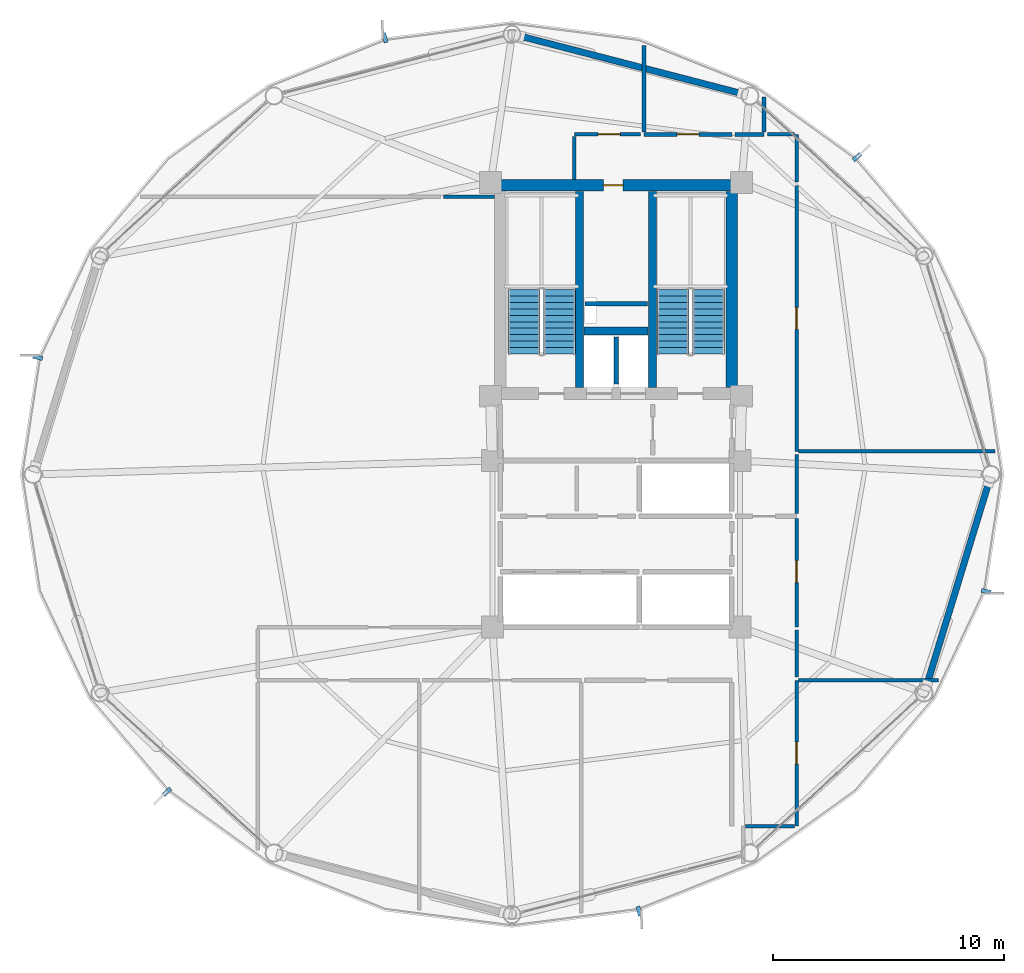
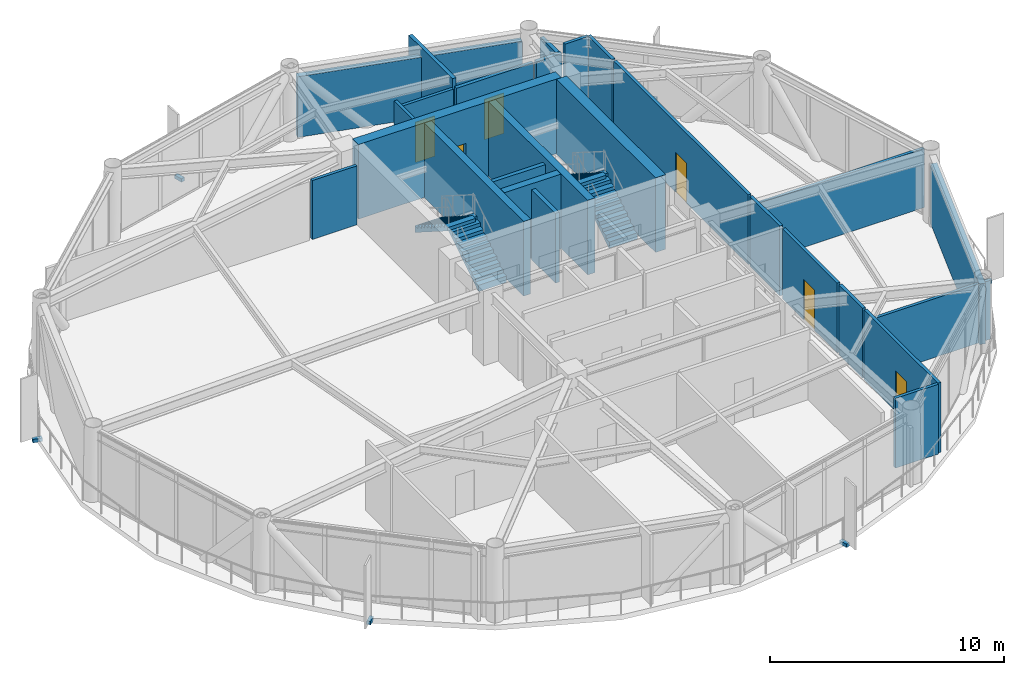
# One storey, part 23 of 26: 26 walls, 6 discrete accessories, 6 doors, 4 stair flights, 6 openings, 2 elements without a shape of their own.
"""IFC4 building model written with IfcOpenShell, lengths in metres."""

from ifc_helpers import new_model, si_unit, direction, frame, frame_2d, origin, origin_2d, place, context, subcontext, project, spatial, polyline, rectangle, outline, extrude, source, transform, mapped, material, layer, layer_set, type_object, type_shapes, element, fill, aggregate, save


model = new_model("IFC4")

# Units and contexts
model_context = context("Model", 3, precision=1e-05, world=origin(), true_north=direction((0.0, 1.0)))
body_context = subcontext(model_context, "Body", "Model", "MODEL_VIEW")
ifc_project = project(units=[si_unit("LENGTHUNIT", "METRE"), si_unit("AREAUNIT", "SQUARE_METRE"), si_unit("VOLUMEUNIT", "CUBIC_METRE"), si_unit("PLANEANGLEUNIT", "RADIAN"), si_unit("MASSUNIT", "GRAM", prefix="KILO")], contexts=[model_context])

# Site, building, storey
site_placement = place(None, origin())
site = spatial("IfcSite", under=ifc_project, at=site_placement, CompositionType="ELEMENT")
building_placement = place(site_placement, origin())
building = spatial("IfcBuilding", under=site, at=building_placement, Name="Varnakorn Sky Granary", CompositionType="ELEMENT")
storey_placement = place(building_placement, frame((0.0, 0.0, 153.89990234375)))
storey = spatial("IfcBuildingStorey", under=building, at=storey_placement, Name="L38", CompositionType="ELEMENT", Elevation=153.89990234375)

# Walls
ifc_material_1 = material(Name="Concrete C50/60", Category="concrete")
ifc_layer_1 = layer(ifc_material_1, 0.35009765625, Name="Concrete C50/60")
ifc_layer_set_1 = layer_set([ifc_layer_1], Name="Concrete C50/60")
wall_type_1 = type_object("IfcWallType", Name="WT-CW-INT-350", PredefinedType="SHEAR", material=ifc_layer_set_1)
for number, where, z_axis, x_axis, name in (
    (1, (1.419921875, 3.760009765625, 0.0), (0.0, 0.0, 1.0), (0.0, 1.0, 0.0), "Stair ST-1 Core Wall L38"),
    (2, (4.580078125, 3.760009765625, 0.0), (0.0, 0.0, 1.0), (0.0, 1.0, 0.0), "Stair ST-2 Core Wall L38"),
):
    element("IfcWall", number, at=place(storey_placement, frame(where, z_axis=z_axis, x_axis=x_axis)), inside=storey, type_object=wall_type_1, Name=name, PredefinedType="SHEAR", context=body_context, shape_type="SweptSolid", body=[
        extrude(rectangle(XDim=8.47998046875, YDim=0.35009765625, at=frame_2d((4.239990234375, 0.0))), origin(), (0.0, 0.0, 1.0), 3.89208984375),
    ])
wall_1_placement = place(storey_placement, frame((1.610107421875, 6.199951171875, 0.0), z_axis=(0.0, 0.0, 1.0), x_axis=(1.0, 0.0, 0.0)))
element("IfcWall", 3, at=wall_1_placement, inside=storey, type_object=wall_type_1, Name="Core Lift Shaft Cross Wall L38", PredefinedType="SHEAR", context=body_context, shape_type="SweptSolid", body=[
    extrude(rectangle(XDim=2.77978515625, YDim=0.35009765625, at=frame_2d((1.389892578125, 0.0))), origin(), (0.0, 0.0, 1.0), 3.89208984375),
])

# Wall, opening, door
ifc_material_2 = material(Name="Concrete C60/75", Category="concrete")
ifc_layer_2 = layer(ifc_material_2, 0.5, Name="Concrete C60/75")
ifc_layer_set_2 = layer_set([ifc_layer_2], Name="Concrete C60/75")
wall_type_2 = type_object("IfcWallType", Name="WT-CW-SHEAR-500", PredefinedType="SHEAR", material=ifc_layer_set_2)
wall_2_placement = place(storey_placement, frame((-2.0, 12.5, 0.0), z_axis=(0.0, 0.0, 1.0), x_axis=(1.0, 0.0, 0.0)))
wall_2 = element("IfcWall", 4, at=wall_2_placement, inside=storey, type_object=wall_type_2, Name="Core North Shear Wall L38", PredefinedType="SHEAR", context=body_context, shape_type="SweptSolid", body=[
    extrude(rectangle(XDim=10.0, YDim=0.5, at=frame_2d((5.0, 0.0))), origin(), (0.0, 0.0, 1.0), 3.89208984375),
])
opening_1_placement = place(wall_2_placement, frame((4.449951171875, 0.0, 0.0)))
opening_1 = element("IfcOpeningElement", 5, at=opening_1_placement, cuts=wall_2, Name="Opening FD-60N", PredefinedType="OPENING", context=body_context, shape_type="SweptSolid", body=[
    extrude(rectangle(XDim=0.85009765625, YDim=2.10009765625, at=frame_2d((0.425048828125, 1.050048828125))), frame((0.0, 0.260009765625, 0.0), z_axis=(0.0, -1.0, 0.0), x_axis=(1.0, 0.0, 0.0)), (0.0, 0.0, 1.0), 0.52001953125),
])
ifc_material_3 = material(Name="Acoustic Timber Fire Leaf", Category="wood")
door_type_1 = type_object("IfcDoorType", Name="DR-FD60-850", OperationType="NOTDEFINED", PredefinedType="DOOR", material=ifc_material_3)
door_1_placement = place(opening_1_placement, origin())
door_1 = element("IfcDoor", 6, at=door_1_placement, inside=storey, type_object=door_type_1, Name="Core North Service Door L38", OperationType="SINGLE_SWING_RIGHT", OverallHeight=2.10009765625, OverallWidth=0.85009765625, PredefinedType="DOOR", context=body_context, shape_type="SweptSolid", body=[
    extrude(rectangle(XDim=0.85009765625, YDim=2.10009765625, at=frame_2d((0.425048828125, 1.050048828125))), frame((0.0, 0.02490234375, 0.0), z_axis=(0.0, -1.0, 0.0), x_axis=(1.0, 0.0, 0.0)), (0.0, 0.0, 1.0), 0.050048828125),
])
fill(opening_1, door_1)

# Walls
wall_3_placement = place(storey_placement, frame((8.0, 3.760009765625, 0.0), z_axis=(0.0, 0.0, 1.0), x_axis=(0.0, 1.0, 0.0)))
element("IfcWall", 7, at=wall_3_placement, inside=storey, type_object=wall_type_2, Name="Core East Shear Wall L38", PredefinedType="SHEAR", context=body_context, shape_type="SweptSolid", body=[
    extrude(rectangle(XDim=8.47998046875, YDim=0.5, at=frame_2d((4.239990234375, 0.0))), origin(), (0.0, 0.0, 1.0), 3.89208984375),
])
ifc_material_4 = material(Name="Precast concrete C40/50", Category="concrete")
ifc_layer_3 = layer(ifc_material_4, 0.280029296875, Name="Precast concrete C40/50")
ifc_layer_set_3 = layer_set([ifc_layer_3], Name="Precast concrete C40/50")
wall_type_3 = type_object("IfcWallType", Name="WT-EW-CRN-280", PredefinedType="SOLIDWALL", material=ifc_layer_set_3)
wall_4_placement = place(storey_placement, frame((-1.1748046875, 18.955810546875, 0.0), z_axis=(0.0, 0.0, 1.0), x_axis=(0.968000647597, -0.250947696248, 0.0)))
element("IfcWall", 8, at=wall_4_placement, inside=storey, type_object=wall_type_3, Name="Agritech Insulated Precast Facade Wall L38-P03", PredefinedType="SOLIDWALL", context=body_context, shape_type="SweptSolid", body=[
    extrude(rectangle(XDim=9.959228515625, YDim=0.280029296875, at=frame_2d((4.9794921875, 0.0))), origin(), (0.0, 0.0, 1.0), 3.16015625),
])
wall_5_placement = place(storey_placement, frame((19.11865234375, -0.3212890625, 0.0), z_axis=(0.0, 0.0, 1.0), x_axis=(-0.292606970672, -0.956232796297, 0.0)))
element("IfcWall", 9, at=wall_5_placement, inside=storey, type_object=wall_type_3, Name="Agritech Insulated Precast Facade Wall L38-P12", PredefinedType="SOLIDWALL", context=body_context, shape_type="SweptSolid", body=[
    extrude(rectangle(XDim=9.213134765625, YDim=0.280029296875, at=frame_2d((4.6064453125, 0.0))), origin(), (0.0, 0.0, 1.0), 3.16015625),
])

# Wall, opening, door
ifc_material_5 = material(Name="Gypsum Plasterboard on Steel Stud", Category="steel")
ifc_layer_4 = layer(ifc_material_5, 0.14990234375, Name="Gypsum Plasterboard on Steel Stud")
ifc_layer_set_4 = layer_set([ifc_layer_4], Name="Gypsum Plasterboard on Steel Stud")
wall_type_4 = type_object("IfcWallType", Name="WT-PART-150", PredefinedType="PARTITIONING", material=ifc_layer_set_4)
wall_6_placement = place(storey_placement, frame((10.800048828125, -15.199951171875, 0.0), z_axis=(0.0, 0.0, 1.0), x_axis=(0.0, 1.0, 0.0)))
wall_6 = element("IfcWall", 10, at=wall_6_placement, inside=storey, type_object=wall_type_4, Name="Interior Partition Wall L38-023", PredefinedType="PARTITIONING", context=body_context, shape_type="SweptSolid", body=[
    extrude(rectangle(XDim=6.300048828125, YDim=0.14990234375, at=frame_2d((3.14990234375, 0.0))), origin(), (0.0, 0.0, 1.0), 3.64013671875),
])
opening_2_placement = place(wall_6_placement, frame((2.675048828125, 0.0, 0.0)))
opening_2 = element("IfcOpeningElement", 11, at=opening_2_placement, cuts=wall_6, Name="Opening ID-95", PredefinedType="OPENING", context=body_context, shape_type="SweptSolid", body=[
    extrude(rectangle(XDim=0.949951171875, YDim=2.10009765625, at=frame_2d((0.47509765625, 1.050048828125))), frame((0.0, 0.0849609375, 0.0), z_axis=(0.0, -1.0, 0.0), x_axis=(1.0, 0.0, 0.0)), (0.0, 0.0, 1.0), 0.169921875),
])
ifc_material_6 = material(Name="Solid-Core Teak Veneer Leaf", Category="timber")
door_type_2 = type_object("IfcDoorType", Name="DR-INT-950", OperationType="NOTDEFINED", PredefinedType="DOOR", material=ifc_material_6)
door_2_placement = place(opening_2_placement, origin())
door_2 = element("IfcDoor", 12, at=door_2_placement, inside=storey, type_object=door_type_2, Name="Interior Door L38-023-1", OperationType="SINGLE_SWING_LEFT", OverallHeight=2.10009765625, OverallWidth=0.949951171875, PredefinedType="DOOR", context=body_context, shape_type="SweptSolid", body=[
    extrude(rectangle(XDim=0.949951171875, YDim=2.10009765625, at=frame_2d((0.47509765625, 1.050048828125))), frame((0.0, 0.02490234375, 0.0), z_axis=(0.0, -1.0, 0.0), x_axis=(1.0, 0.0, 0.0)), (0.0, 0.0, 1.0), 0.050048828125),
])
fill(opening_2, door_2)

wall_7_placement = place(storey_placement, frame((4.050048828125, 14.699951171875, 0.0), z_axis=(0.0, 0.0, 1.0), x_axis=(-1.0, 0.0, 0.0)))
wall_7 = element("IfcWall", 13, at=wall_7_placement, inside=storey, type_object=wall_type_4, Name="Interior Partition Wall L38-025", PredefinedType="PARTITIONING", context=body_context, shape_type="SweptSolid", body=[
    extrude(rectangle(XDim=2.85009765625, YDim=0.14990234375, at=frame_2d((1.425048828125, 0.0))), origin(), (0.0, 0.0, 1.0), 3.22216796875),
])
opening_3_placement = place(wall_7_placement, frame((0.875, 0.0, 0.0)))
opening_3 = element("IfcOpeningElement", 14, at=opening_3_placement, cuts=wall_7, Name="Opening ID-95", PredefinedType="OPENING", context=body_context, shape_type="SweptSolid", body=[
    extrude(rectangle(XDim=0.949951171875, YDim=2.10009765625, at=frame_2d((0.47509765625, 1.050048828125))), frame((0.0, 0.0849609375, 0.0), z_axis=(0.0, -1.0, 0.0), x_axis=(1.0, 0.0, 0.0)), (0.0, 0.0, 1.0), 0.169921875),
])
door_3_placement = place(opening_3_placement, origin())
door_3 = element("IfcDoor", 15, at=door_3_placement, inside=storey, type_object=door_type_2, Name="Interior Door L38-025-1", OperationType="SINGLE_SWING_LEFT", OverallHeight=2.10009765625, OverallWidth=0.949951171875, PredefinedType="DOOR", context=body_context, shape_type="SweptSolid", body=[
    extrude(rectangle(XDim=0.949951171875, YDim=2.10009765625, at=frame_2d((0.47509765625, 1.050048828125))), frame((0.0, 0.02490234375, 0.0), z_axis=(0.0, -1.0, 0.0), x_axis=(1.0, 0.0, 0.0)), (0.0, 0.0, 1.0), 0.050048828125),
])
fill(opening_3, door_3)

wall_8_placement = place(storey_placement, frame((10.800048828125, -6.60009765625, 0.0), z_axis=(0.0, 0.0, 1.0), x_axis=(0.0, 1.0, 0.0)))
wall_8 = element("IfcWall", 16, at=wall_8_placement, inside=storey, type_object=wall_type_4, Name="Interior Partition Wall L38-026", PredefinedType="PARTITIONING", context=body_context, shape_type="SweptSolid", body=[
    extrude(rectangle(XDim=4.690185546875, YDim=0.14990234375, at=frame_2d((2.34521484375, 0.0))), origin(), (0.0, 0.0, 1.0), 3.64013671875),
])
opening_4_placement = place(wall_8_placement, frame((1.925048828125, 0.0, 0.0)))
opening_4 = element("IfcOpeningElement", 17, at=opening_4_placement, cuts=wall_8, Name="Opening ID-95", PredefinedType="OPENING", context=body_context, shape_type="SweptSolid", body=[
    extrude(rectangle(XDim=0.949951171875, YDim=2.10009765625, at=frame_2d((0.47509765625, 1.050048828125))), frame((0.0, 0.0849609375, 0.0), z_axis=(0.0, -1.0, 0.0), x_axis=(1.0, 0.0, 0.0)), (0.0, 0.0, 1.0), 0.169921875),
])
door_4_placement = place(opening_4_placement, origin())
door_4 = element("IfcDoor", 18, at=door_4_placement, inside=storey, type_object=door_type_2, Name="Interior Door L38-026-1", OperationType="SINGLE_SWING_RIGHT", OverallHeight=2.10009765625, OverallWidth=0.949951171875, PredefinedType="DOOR", context=body_context, shape_type="SweptSolid", body=[
    extrude(rectangle(XDim=0.949951171875, YDim=2.10009765625, at=frame_2d((0.47509765625, 1.050048828125))), frame((0.0, 0.02490234375, 0.0), z_axis=(0.0, -1.0, 0.0), x_axis=(1.0, 0.0, 0.0)), (0.0, 0.0, 1.0), 0.050048828125),
])
fill(opening_4, door_4)

wall_9_placement = place(storey_placement, frame((10.800048828125, 1.0, 0.0), z_axis=(0.0, 0.0, 1.0), x_axis=(0.0, 1.0, 0.0)))
wall_9 = element("IfcWall", 19, at=wall_9_placement, inside=storey, type_object=wall_type_4, Name="Interior Partition Wall L38-027", PredefinedType="PARTITIONING", context=body_context, shape_type="SweptSolid", body=[
    extrude(rectangle(XDim=11.5, YDim=0.14990234375, at=frame_2d((5.75, 0.0))), origin(), (0.0, 0.0, 1.0), 3.64013671875),
])
opening_5_placement = place(wall_9_placement, frame((5.27490234375, 0.0, 0.0)))
opening_5 = element("IfcOpeningElement", 20, at=opening_5_placement, cuts=wall_9, Name="Opening ID-95", PredefinedType="OPENING", context=body_context, shape_type="SweptSolid", body=[
    extrude(rectangle(XDim=0.949951171875, YDim=2.10009765625, at=frame_2d((0.47509765625, 1.050048828125))), frame((0.0, 0.0849609375, 0.0), z_axis=(0.0, -1.0, 0.0), x_axis=(1.0, 0.0, 0.0)), (0.0, 0.0, 1.0), 0.169921875),
])
door_5_placement = place(opening_5_placement, origin())
door_5 = element("IfcDoor", 21, at=door_5_placement, inside=storey, type_object=door_type_2, Name="Interior Door L38-027-1", OperationType="SINGLE_SWING_LEFT", OverallHeight=2.10009765625, OverallWidth=0.949951171875, PredefinedType="DOOR", context=body_context, shape_type="SweptSolid", body=[
    extrude(rectangle(XDim=0.949951171875, YDim=2.10009765625, at=frame_2d((0.47509765625, 1.050048828125))), frame((0.0, 0.02490234375, 0.0), z_axis=(0.0, -1.0, 0.0), x_axis=(1.0, 0.0, 0.0)), (0.0, 0.0, 1.0), 0.050048828125),
])
fill(opening_5, door_5)

# Walls
wall_10_placement = place(storey_placement, frame((8.5849609375, -15.199951171875, 0.0), z_axis=(0.0, 0.0, 1.0), x_axis=(1.0, 0.0, 0.0)))
element("IfcWall", 22, at=wall_10_placement, inside=storey, type_object=wall_type_4, Name="Interior Partition Wall L38-039", PredefinedType="PARTITIONING", context=body_context, shape_type="SweptSolid", body=[
    extrude(rectangle(XDim=2.130126953125, YDim=0.14990234375, at=frame_2d((1.06494140625, 0.0))), origin(), (0.0, 0.0, 1.0), 3.64013671875),
])
wall_11_placement = place(storey_placement, frame((10.885009765625, -8.89990234375, 0.0), z_axis=(0.0, 0.0, 1.0), x_axis=(1.0, 0.0, 0.0)))
element("IfcWall", 23, at=wall_11_placement, inside=storey, type_object=wall_type_4, Name="Interior Partition Wall L38-040", PredefinedType="PARTITIONING", context=body_context, shape_type="SweptSolid", body=[
    extrude(rectangle(XDim=6.0419921875, YDim=0.14990234375, at=frame_2d((3.02099609375, 0.0))), origin(), (0.0, 0.0, 1.0), 3.072021484375),
])
wall_12_placement = place(storey_placement, frame((-4.465087890625, 12.0, 0.0), z_axis=(0.0, 0.0, 1.0), x_axis=(1.0, 0.0, 0.0)))
element("IfcWall", 24, at=wall_12_placement, inside=storey, type_object=wall_type_4, Name="Interior Partition Wall L38-043", PredefinedType="PARTITIONING", context=body_context, shape_type="SweptSolid", body=[
    extrude(rectangle(XDim=2.205078125, YDim=0.14990234375, at=frame_2d((1.1025390625, 0.0))), origin(), (0.0, 0.0, 1.0), 3.072021484375),
])
wall_13_placement = place(storey_placement, frame((1.199951171875, 14.614990234375, 0.0), z_axis=(0.0, 0.0, 1.0), x_axis=(0.0, -1.0, 0.0)))
element("IfcWall", 25, at=wall_13_placement, inside=storey, type_object=wall_type_4, Name="Interior Partition Wall L38-044", PredefinedType="PARTITIONING", context=body_context, shape_type="SweptSolid", body=[
    extrude(rectangle(XDim=1.85498046875, YDim=0.14990234375, at=frame_2d((0.927490234375, 0.0))), origin(), (0.0, 0.0, 1.0), 3.64013671875),
])
wall_14_placement = place(storey_placement, frame((10.800048828125, -8.764892578125, 0.0), z_axis=(0.0, 0.0, 1.0), x_axis=(0.0, 1.0, 0.0)))
element("IfcWall", 26, at=wall_14_placement, inside=storey, type_object=wall_type_4, Name="Interior Partition Wall L38-046", PredefinedType="PARTITIONING", context=body_context, shape_type="SweptSolid", body=[
    extrude(rectangle(XDim=2.02978515625, YDim=0.14990234375, at=frame_2d((1.014892578125, 0.0))), origin(), (0.0, 0.0, 1.0), 3.64013671875),
])
wall_15_placement = place(storey_placement, frame((10.800048828125, -1.68994140625, 0.0), z_axis=(0.0, 0.0, 1.0), x_axis=(0.0, 1.0, 0.0)))
element("IfcWall", 27, at=wall_15_placement, inside=storey, type_object=wall_type_4, Name="Interior Partition Wall L38-047", PredefinedType="PARTITIONING", context=body_context, shape_type="SweptSolid", body=[
    extrude(rectangle(XDim=2.554931640625, YDim=0.14990234375, at=frame_2d((1.27734375, 0.0))), origin(), (0.0, 0.0, 1.0), 3.64013671875),
])
wall_16_placement = place(storey_placement, frame((10.885009765625, 1.0, 0.0), z_axis=(0.0, 0.0, 1.0), x_axis=(1.0, 0.0, 0.0)))
element("IfcWall", 28, at=wall_16_placement, inside=storey, type_object=wall_type_4, Name="Interior Partition Wall L38-048", PredefinedType="PARTITIONING", context=body_context, shape_type="SweptSolid", body=[
    extrude(rectangle(XDim=8.489990234375, YDim=0.14990234375, at=frame_2d((4.2451171875, 0.0))), origin(), (0.0, 0.0, 1.0), 3.072021484375),
])
wall_17_placement = place(storey_placement, frame((10.800048828125, 12.635009765625, 0.0), z_axis=(0.0, 0.0, 1.0), x_axis=(0.0, 1.0, 0.0)))
element("IfcWall", 29, at=wall_17_placement, inside=storey, type_object=wall_type_4, Name="Interior Partition Wall L38-049", PredefinedType="PARTITIONING", context=body_context, shape_type="SweptSolid", body=[
    extrude(rectangle(XDim=2.06494140625, YDim=0.14990234375, at=frame_2d((1.032470703125, 0.0))), origin(), (0.0, 0.0, 1.0), 3.64013671875),
])
wall_18_placement = place(storey_placement, frame((10.715087890625, 14.699951171875, 0.0), z_axis=(0.0, 0.0, 1.0), x_axis=(-1.0, 0.0, 0.0)))
element("IfcWall", 30, at=wall_18_placement, inside=storey, type_object=wall_type_4, Name="Interior Partition Wall L38-050", PredefinedType="PARTITIONING", context=body_context, shape_type="SweptSolid", body=[
    extrude(rectangle(XDim=1.1650390625, YDim=0.14990234375, at=frame_2d((0.58251953125, 0.0))), origin(), (0.0, 0.0, 1.0), 3.64013671875),
])

# Wall, opening, door
ifc_material_7 = material(Name="Moisture-Resistant Gypsum on Stud", Category="gypsum")
ifc_layer_5 = layer(ifc_material_7, 0.179931640625, Name="Moisture-Resistant Gypsum on Stud")
ifc_layer_set_5 = layer_set([ifc_layer_5], Name="Moisture-Resistant Gypsum on Stud")
wall_type_5 = type_object("IfcWallType", Name="WT-PLUMB-180", PredefinedType="PLUMBINGWALL", material=ifc_layer_set_5)
wall_19_placement = place(storey_placement, frame((8.0, 14.699951171875, 0.0), z_axis=(0.0, 0.0, 1.0), x_axis=(-1.0, 0.0, 0.0)))
wall_19 = element("IfcWall", 31, at=wall_19_placement, inside=storey, type_object=wall_type_5, Name="Interior Partition Wall L38-019", PredefinedType="PLUMBINGWALL", context=body_context, shape_type="SweptSolid", body=[
    extrude(rectangle(XDim=3.800048828125, YDim=0.179931640625, at=frame_2d((1.89990234375, 0.0))), origin(), (0.0, 0.0, 1.0), 3.22216796875),
])
opening_6_placement = place(wall_19_placement, frame((1.425048828125, 0.0, 0.0)))
opening_6 = element("IfcOpeningElement", 32, at=opening_6_placement, cuts=wall_19, Name="Opening ID-95", PredefinedType="OPENING", context=body_context, shape_type="SweptSolid", body=[
    extrude(rectangle(XDim=0.949951171875, YDim=2.10009765625, at=frame_2d((0.47509765625, 1.050048828125))), frame((0.0, 0.10009765625, 0.0), z_axis=(0.0, -1.0, 0.0), x_axis=(1.0, 0.0, 0.0)), (0.0, 0.0, 1.0), 0.199951171875),
])
door_6_placement = place(opening_6_placement, origin())
door_6 = element("IfcDoor", 33, at=door_6_placement, inside=storey, type_object=door_type_2, Name="Interior Door L38-019-1", OperationType="SINGLE_SWING_LEFT", OverallHeight=2.10009765625, OverallWidth=0.949951171875, PredefinedType="DOOR", context=body_context, shape_type="SweptSolid", body=[
    extrude(rectangle(XDim=0.949951171875, YDim=2.10009765625, at=frame_2d((0.47509765625, 1.050048828125))), frame((0.0, 0.02490234375, 0.0), z_axis=(0.0, -1.0, 0.0), x_axis=(1.0, 0.0, 0.0)), (0.0, 0.0, 1.0), 0.050048828125),
])
fill(opening_6, door_6)

# Walls
wall_20_placement = place(storey_placement, frame((9.39990234375, 14.699951171875, 0.0), z_axis=(0.0, 0.0, 1.0), x_axis=(-1.0, 0.0, 0.0)))
element("IfcWall", 34, at=wall_20_placement, inside=storey, type_object=wall_type_5, Name="Interior Partition Wall L38-033", PredefinedType="PLUMBINGWALL", context=body_context, shape_type="SweptSolid", body=[
    extrude(rectangle(XDim=1.25, YDim=0.179931640625, at=frame_2d((0.625, 0.0))), origin(), (0.0, 0.0, 1.0), 3.22216796875),
])
wall_21_placement = place(storey_placement, frame((4.199951171875, 18.5390625, 0.0), z_axis=(0.0, 0.0, 1.0), x_axis=(0.0, -1.0, 0.0)))
element("IfcWall", 35, at=wall_21_placement, inside=storey, type_object=wall_type_5, Name="Interior Partition Wall L38-045", PredefinedType="PLUMBINGWALL", context=body_context, shape_type="SweptSolid", body=[
    extrude(rectangle(XDim=3.739013671875, YDim=0.179931640625, at=frame_2d((1.86962890625, 0.0))), origin(), (0.0, 0.0, 1.0), 3.64013671875),
])
wall_22_placement = place(storey_placement, frame((9.39990234375, 14.800048828125, 0.0), z_axis=(0.0, 0.0, 1.0), x_axis=(0.0, 1.0, 0.0)))
element("IfcWall", 36, at=wall_22_placement, inside=storey, type_object=wall_type_5, Name="Interior Partition Wall L38-051", PredefinedType="PLUMBINGWALL", context=body_context, shape_type="SweptSolid", body=[
    extrude(rectangle(XDim=1.514892578125, YDim=0.179931640625, at=frame_2d((0.75732421875, 0.0))), origin(), (0.0, 0.0, 1.0), 3.072021484375),
])
ifc_material_8 = material(Name="Autoclaved Aerated Concrete Blockwork", Category="masonry")
ifc_layer_6 = layer(ifc_material_8, 0.199951171875, Name="Autoclaved Aerated Concrete Blockwork")
ifc_layer_set_6 = layer_set([ifc_layer_6], Name="Autoclaved Aerated Concrete Blockwork")
wall_type_6 = type_object("IfcWallType", Name="WT-SHAFT-200", PredefinedType="SOLIDWALL", material=ifc_layer_set_6)
wall_23_placement = place(storey_placement, frame((3.0, 3.919921875, 0.0), z_axis=(0.0, 0.0, 1.0), x_axis=(0.0, 1.0, 0.0)))
element("IfcWall", 37, at=wall_23_placement, inside=storey, type_object=wall_type_6, Name="Interior Partition Wall L38-001", PredefinedType="SOLIDWALL", context=body_context, shape_type="SweptSolid", body=[
    extrude(rectangle(XDim=2.030029296875, YDim=0.199951171875, at=frame_2d((1.01513671875, 0.0))), origin(), (0.0, 0.0, 1.0), 3.64013671875),
])
wall_24_placement = place(storey_placement, frame((1.64990234375, 7.3798828125, 0.0), z_axis=(0.0, 0.0, 1.0), x_axis=(1.0, 0.0, 0.0)))
element("IfcWall", 38, at=wall_24_placement, inside=storey, type_object=wall_type_6, Name="Interior Partition Wall L38-002", PredefinedType="SOLIDWALL", context=body_context, shape_type="SweptSolid", body=[
    extrude(rectangle(XDim=2.7001953125, YDim=0.199951171875, at=frame_2d((1.35009765625, 0.0))), origin(), (0.0, 0.0, 1.0), 3.64013671875),
])

# Stair, stair flights
ifc_material_9 = material(Name="Concrete C40/50", Category="concrete")
stair_type = type_object("IfcStairType", Name="ST-MAIN-ASSEMBLY", PredefinedType="HALF_TURN_STAIR", material=ifc_material_9)
stair_1_placement = place(storey_placement, origin())
stair_1 = element("IfcStair", 39, at=stair_1_placement, inside=storey, type_object=stair_type, Name="L38 Protected Exit Stair ST-1", PredefinedType="HALF_TURN_STAIR")
stair_flight_type = type_object("IfcStairFlightType", Name="ST-MAIN-FLIGHT", PredefinedType="STRAIGHT", material=ifc_material_9)
stair_flight_1_placement = place(storey_placement, frame((0.550048828125, 5.199951171875, 0.0), z_axis=(0.0, 0.0, 1.0), x_axis=(0.0, 1.0, 0.0)))
stair_flight_1 = element("IfcStairFlight", 40, at=stair_flight_1_placement, type_object=stair_flight_type, Name="ST-1 flight 1", NumberOfRisers=11, NumberOfTreads=10, PredefinedType="STRAIGHT", RiserHeight=0.177272727, TreadLength=0.28, context=body_context, shape_type="SweptSolid", body=[
    extrude(outline(polyline([(0.0, -0.14990234375), (0.0, 0.0), (0.0, 0.17724609375), (0.280029296875, 0.17724609375), (0.280029296875, 0.3544921875), (0.56005859375, 0.3544921875), (0.56005859375, 0.53173828125), (0.840087890625, 0.53173828125), (0.840087890625, 0.708984375), (1.1201171875, 0.708984375), (1.1201171875, 0.886474609375), (1.39990234375, 0.886474609375), (1.39990234375, 1.063720703125), (1.679931640625, 1.063720703125), (1.679931640625, 1.240966796875), (1.9599609375, 1.240966796875), (1.9599609375, 1.418212890625), (2.239990234375, 1.418212890625), (2.239990234375, 1.595458984375), (2.52001953125, 1.595458984375), (2.52001953125, 1.772705078125), (2.800048828125, 1.772705078125), (2.800048828125, 1.949951171875), (2.800048828125, 1.59521484375), (0.050048828125, -0.14990234375), (0.0, -0.14990234375)])), frame((0.0, 0.68994140625, 0.0), z_axis=(0.0, -1.0, 0.0), x_axis=(1.0, 0.0, 0.0)), (0.0, 0.0, 1.0), 1.3798828125),
])
stair_flight_2_placement = place(storey_placement, frame((-0.97998046875, 8.0, 1.9501953125), z_axis=(0.0, 0.0, 1.0), x_axis=(0.0, -1.0, 0.0)))
stair_flight_2 = element("IfcStairFlight", 41, at=stair_flight_2_placement, type_object=stair_flight_type, Name="ST-1 flight 2", NumberOfRisers=11, NumberOfTreads=10, PredefinedType="STRAIGHT", RiserHeight=0.177272727, TreadLength=0.28, context=body_context, shape_type="SweptSolid", body=[
    extrude(outline(polyline([(0.0, -0.14990234375), (0.0, 0.0), (0.0, 0.17724609375), (0.280029296875, 0.17724609375), (0.280029296875, 0.3544921875), (0.56005859375, 0.3544921875), (0.56005859375, 0.53173828125), (0.840087890625, 0.53173828125), (0.840087890625, 0.708984375), (1.1201171875, 0.708984375), (1.1201171875, 0.886474609375), (1.39990234375, 0.886474609375), (1.39990234375, 1.063720703125), (1.679931640625, 1.063720703125), (1.679931640625, 1.240966796875), (1.9599609375, 1.240966796875), (1.9599609375, 1.418212890625), (2.239990234375, 1.418212890625), (2.239990234375, 1.595458984375), (2.52001953125, 1.595458984375), (2.52001953125, 1.772705078125), (2.800048828125, 1.772705078125), (2.800048828125, 1.949951171875), (2.800048828125, 1.59521484375), (0.050048828125, -0.14990234375), (0.0, -0.14990234375)])), frame((0.0, 0.68994140625, 0.0), z_axis=(0.0, -1.0, 0.0), x_axis=(1.0, 0.0, 0.0)), (0.0, 0.0, 1.0), 1.3798828125),
])
aggregate(stair_1, [stair_flight_1, stair_flight_2])

stair_2_placement = place(storey_placement, origin())
stair_2 = element("IfcStair", 42, at=stair_2_placement, inside=storey, type_object=stair_type, Name="L38 Protected Exit Stair ST-2", PredefinedType="HALF_TURN_STAIR")
stair_flight_3_placement = place(storey_placement, frame((6.989990234375, 5.199951171875, 0.0), z_axis=(0.0, 0.0, 1.0), x_axis=(0.0, 1.0, 0.0)))
stair_flight_3 = element("IfcStairFlight", 43, at=stair_flight_3_placement, type_object=stair_flight_type, Name="ST-2 flight 1", NumberOfRisers=11, NumberOfTreads=10, PredefinedType="STRAIGHT", RiserHeight=0.177272727, TreadLength=0.28, context=body_context, shape_type="SweptSolid", body=[
    extrude(outline(polyline([(0.0, -0.14990234375), (0.0, 0.0), (0.0, 0.17724609375), (0.280029296875, 0.17724609375), (0.280029296875, 0.3544921875), (0.56005859375, 0.3544921875), (0.56005859375, 0.53173828125), (0.840087890625, 0.53173828125), (0.840087890625, 0.708984375), (1.1201171875, 0.708984375), (1.1201171875, 0.886474609375), (1.39990234375, 0.886474609375), (1.39990234375, 1.063720703125), (1.679931640625, 1.063720703125), (1.679931640625, 1.240966796875), (1.9599609375, 1.240966796875), (1.9599609375, 1.418212890625), (2.239990234375, 1.418212890625), (2.239990234375, 1.595458984375), (2.52001953125, 1.595458984375), (2.52001953125, 1.772705078125), (2.800048828125, 1.772705078125), (2.800048828125, 1.949951171875), (2.800048828125, 1.59521484375), (0.050048828125, -0.14990234375), (0.0, -0.14990234375)])), frame((0.0, 0.68994140625, 0.0), z_axis=(0.0, -1.0, 0.0), x_axis=(1.0, 0.0, 0.0)), (0.0, 0.0, 1.0), 1.3798828125),
])
stair_flight_4_placement = place(storey_placement, frame((5.4599609375, 8.0, 1.9501953125), z_axis=(0.0, 0.0, 1.0), x_axis=(0.0, -1.0, 0.0)))
stair_flight_4 = element("IfcStairFlight", 44, at=stair_flight_4_placement, type_object=stair_flight_type, Name="ST-2 flight 2", NumberOfRisers=11, NumberOfTreads=10, PredefinedType="STRAIGHT", RiserHeight=0.177272727, TreadLength=0.28, context=body_context, shape_type="SweptSolid", body=[
    extrude(outline(polyline([(0.0, -0.14990234375), (0.0, 0.0), (0.0, 0.17724609375), (0.280029296875, 0.17724609375), (0.280029296875, 0.3544921875), (0.56005859375, 0.3544921875), (0.56005859375, 0.53173828125), (0.840087890625, 0.53173828125), (0.840087890625, 0.708984375), (1.1201171875, 0.708984375), (1.1201171875, 0.886474609375), (1.39990234375, 0.886474609375), (1.39990234375, 1.063720703125), (1.679931640625, 1.063720703125), (1.679931640625, 1.240966796875), (1.9599609375, 1.240966796875), (1.9599609375, 1.418212890625), (2.239990234375, 1.418212890625), (2.239990234375, 1.595458984375), (2.52001953125, 1.595458984375), (2.52001953125, 1.772705078125), (2.800048828125, 1.772705078125), (2.800048828125, 1.949951171875), (2.800048828125, 1.59521484375), (0.050048828125, -0.14990234375), (0.0, -0.14990234375)])), frame((0.0, 0.68994140625, 0.0), z_axis=(0.0, -1.0, 0.0), x_axis=(1.0, 0.0, 0.0)), (0.0, 0.0, 1.0), 1.3798828125),
])
aggregate(stair_2, [stair_flight_3, stair_flight_4])

# Discrete accessories
ifc_material_10 = material(Name="Steel S355JR", Category="steel")
discrete_accessory_type = type_object("IfcDiscreteAccessoryType", Name="AC-BRK-01", PredefinedType="BRACKET", material=ifc_material_10)
shared_shape = source(origin(), body_context, "Body", "SweptSolid", [
    extrude(rectangle(XDim=0.179931640625, YDim=0.419921875, at=origin_2d()), origin(), (0.0, 0.0, 1.0), 0.179931640625),
])
type_shapes(discrete_accessory_type, [shared_shape])
for number, where, z_axis, x_axis, name in (
    (45, (13.414306640625, 13.72119140625, -0.19970703125), (0.0, 0.0, 1.0), (-0.677063843107, 0.735924284391, 0.0), "Facade Solar-Screen Outrigger Bracket L38-02"),
    (46, (-6.9951171875, 18.87841796875, -0.19970703125), (0.0, 0.0, 1.0), (-0.960150765607, -0.279482570662, 0.0), "Facade Solar-Screen Outrigger Bracket L38-04"),
    (47, (-21.99951171875, 5.056396484375, -0.19970703125), (0.0, 0.0, 1.0), (-0.239479191771, -0.970901496913, 0.0), "Facade Solar-Screen Outrigger Bracket L38-06"),
    (48, (-16.414306640625, -13.72119140625, -0.19970703125), (0.0, 0.0, 1.0), (0.677063843107, -0.735924284391, 0.0), "Facade Solar-Screen Outrigger Bracket L38-08"),
    (49, (3.9951171875, -18.87841796875, -0.19970703125), (0.0, 0.0, 1.0), (0.960150765607, 0.279482570662, 0.0), "Facade Solar-Screen Outrigger Bracket L38-10"),
    (50, (18.99951171875, -5.056396484375, -0.19970703125), (0.0, 0.0, 1.0), (0.239479191771, 0.970901496913, 0.0), "Facade Solar-Screen Outrigger Bracket L38-12"),
):
    element("IfcDiscreteAccessory", number, at=place(storey_placement, frame(where, z_axis=z_axis, x_axis=x_axis)), inside=storey, type_object=discrete_accessory_type, Name=name, PredefinedType="BRACKET", context=body_context, shape_type="MappedRepresentation", body=[
        mapped(shared_shape, transform((0.0, 0.0, 0.0), x_axis=(1.0, 0.0, 0.0), y_axis=(0.0, 1.0, 0.0), z_axis=(0.0, 0.0, 1.0), scale=1.0)),
    ])

save(model, "model.ifc")
